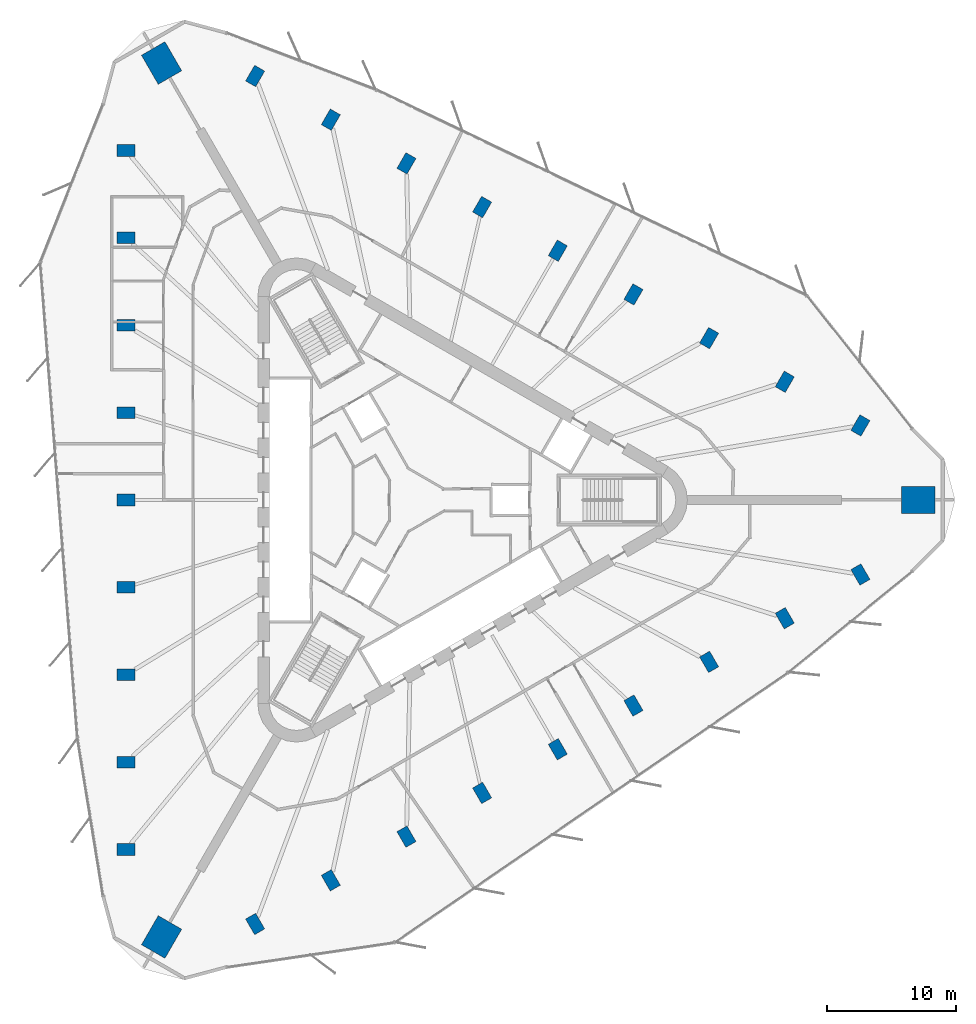
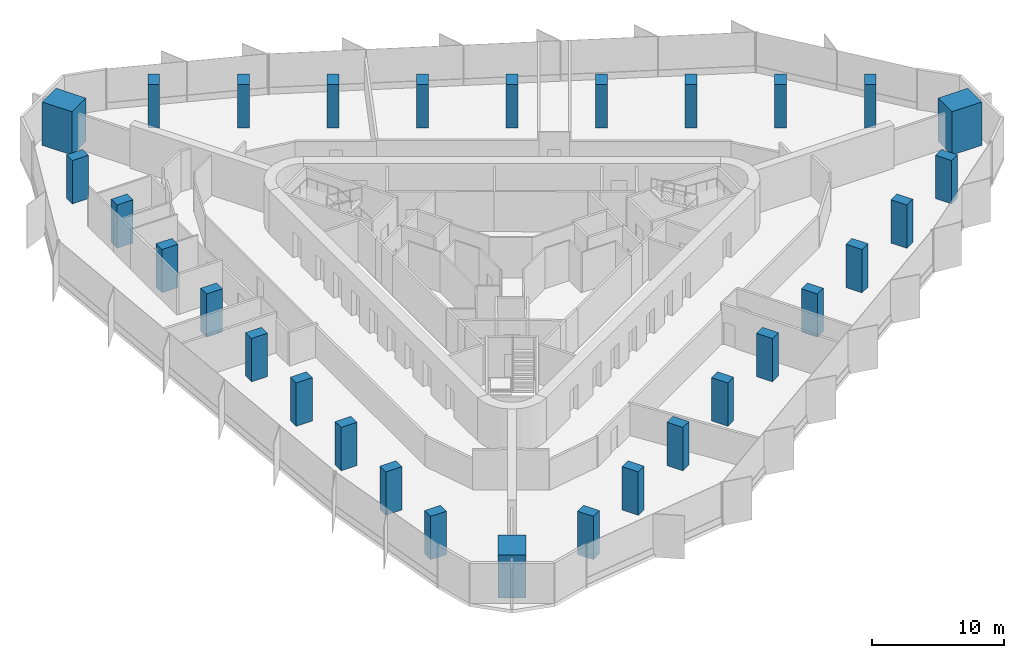
# One storey, part 1 of 13: 30 columns.
"""IFC4 building model written with IfcOpenShell, lengths in metres."""

from ifc_helpers import new_model, si_unit, direction, frame, origin, origin_2d, place, context, subcontext, project, spatial, rectangle, extrude, material, material_profile, profile_set, type_object, element, save


model = new_model("IFC4")

# Units and contexts
model_context = context("Model", 3, precision=1e-05, world=origin(), true_north=direction((0.0, 1.0)))
body_context = subcontext(model_context, "Body", "Model", "MODEL_VIEW")
ifc_project = project(units=[si_unit("LENGTHUNIT", "METRE"), si_unit("AREAUNIT", "SQUARE_METRE"), si_unit("VOLUMEUNIT", "CUBIC_METRE"), si_unit("PLANEANGLEUNIT", "RADIAN"), si_unit("MASSUNIT", "GRAM", prefix="KILO")], contexts=[model_context])

# Site, building, storey
site_placement = place(None, origin())
site = spatial("IfcSite", under=ifc_project, at=site_placement, CompositionType="ELEMENT")
building_placement = place(site_placement, origin())
building = spatial("IfcBuilding", under=site, at=building_placement, Name="Tanit Gate Tower", CompositionType="ELEMENT")
storey_placement = place(building_placement, frame((0.0, 0.0, 197.199951171875)))
storey = spatial("IfcBuildingStorey", under=building, at=storey_placement, Name="L43", CompositionType="ELEMENT", Elevation=197.199951171875)

# Columns
ifc_material_1 = material(Name="Concrete C60/75", Category="concrete")
ifc_material_profile_1 = material_profile(ifc_material_1, rectangle(XDim=2.60009765625, YDim=2.10009765625, at=origin_2d()), Name="RC 2600x2100")
ifc_profile_set_1 = profile_set([ifc_material_profile_1], Name="Concrete C60/75")
column_type_1 = type_object("IfcColumnType", Name="MEGA COLUMN 2600x2100 C60/75", PredefinedType="COLUMN", material=ifc_profile_set_1)
for number, where, z_axis, x_axis, name in (
    (1, (39.106689453125, 0.0, 0.0), (0.0, 0.0, 1.0), (1.0, 0.0, 0.0), "MEGA COLUMN"),
    (2, (-19.553466796875, 33.867431640625, 0.0), (0.0, 0.0, 1.0), (-0.5, 0.866025403784, 0.0), "MEGA COLUMN"),
    (3, (-19.553466796875, -33.867431640625, 0.0), (0.0, 0.0, 1.0), (-0.5, -0.866025403784, 0.0), "MEGA COLUMN"),
):
    element("IfcColumn", number, at=place(storey_placement, frame(where, z_axis=z_axis, x_axis=x_axis)), inside=storey, type_object=column_type_1, Name=name, PredefinedType="COLUMN", context=body_context, shape_type="SweptSolid", body=[
        extrude(rectangle(XDim=2.60009765625, YDim=2.10009765625, at=origin_2d()), origin(), (0.0, 0.0, 1.0), 4.0),
    ])
ifc_material_2 = material(Name="Concrete C50/60", Category="concrete")
ifc_material_profile_2 = material_profile(ifc_material_2, rectangle(XDim=1.39990234375, YDim=0.89990234375, at=origin_2d()), Name="RC 1400x900")
ifc_profile_set_2 = profile_set([ifc_material_profile_2], Name="Concrete C50/60")
column_type_2 = type_object("IfcColumnType", Name="PERIMETER COLUMN 1400x900 C50/60", PredefinedType="COLUMN", material=ifc_profile_set_2)
for number, where, z_axis, x_axis, name in (
    (4, (-22.305908203125, 27.083984375, 0.0), (0.0, 0.0, 1.0), (-1.0, 0.0, 0.0), "PERIMETER COLUMN"),
    (5, (-22.305908203125, 20.31298828125, 0.0), (0.0, 0.0, 1.0), (-1.0, 0.0, 0.0), "PERIMETER COLUMN"),
    (6, (-22.305908203125, 13.5419921875, 0.0), (0.0, 0.0, 1.0), (-1.0, 0.0, 0.0), "PERIMETER COLUMN"),
    (7, (-22.305908203125, 6.77099609375, 0.0), (0.0, 0.0, 1.0), (-1.0, 0.0, 0.0), "PERIMETER COLUMN"),
    (8, (-22.305908203125, 0.0, 0.0), (0.0, 0.0, 1.0), (-1.0, 0.0, 0.0), "PERIMETER COLUMN"),
    (9, (-22.305908203125, -6.77099609375, 0.0), (0.0, 0.0, 1.0), (-1.0, 0.0, 0.0), "PERIMETER COLUMN"),
    (10, (-22.305908203125, -13.5419921875, 0.0), (0.0, 0.0, 1.0), (-1.0, 0.0, 0.0), "PERIMETER COLUMN"),
    (11, (-22.305908203125, -20.31298828125, 0.0), (0.0, 0.0, 1.0), (-1.0, 0.0, 0.0), "PERIMETER COLUMN"),
    (12, (-22.305908203125, -27.083984375, 0.0), (0.0, 0.0, 1.0), (-1.0, 0.0, 0.0), "PERIMETER COLUMN"),
    (13, (34.6083984375, 5.775390625, 0.0), (0.0, 0.0, 1.0), (0.5, 0.866025403784, 0.0), "PERIMETER COLUMN"),
    (14, (28.744384765625, 9.160888671875, 0.0), (0.0, 0.0, 1.0), (0.5, 0.866025403784, 0.0), "PERIMETER COLUMN"),
    (15, (22.880615234375, 12.54638671875, 0.0), (0.0, 0.0, 1.0), (0.5, 0.866025403784, 0.0), "PERIMETER COLUMN"),
    (16, (17.016845703125, 15.931884765625, 0.0), (0.0, 0.0, 1.0), (0.5, 0.866025403784, 0.0), "PERIMETER COLUMN"),
    (17, (11.15283203125, 19.3173828125, 0.0), (0.0, 0.0, 1.0), (0.5, 0.866025403784, 0.0), "PERIMETER COLUMN"),
    (18, (5.2890625, 22.702880859375, 0.0), (0.0, 0.0, 1.0), (0.5, 0.866025403784, 0.0), "PERIMETER COLUMN"),
    (19, (-0.57470703125, 26.08837890625, 0.0), (0.0, 0.0, 1.0), (0.5, 0.866025403784, 0.0), "PERIMETER COLUMN"),
    (20, (-6.438720703125, 29.473876953125, 0.0), (0.0, 0.0, 1.0), (0.5, 0.866025403784, 0.0), "PERIMETER COLUMN"),
    (21, (-12.302490234375, 32.859375, 0.0), (0.0, 0.0, 1.0), (0.5, 0.866025403784, 0.0), "PERIMETER COLUMN"),
    (22, (-12.302490234375, -32.859375, 0.0), (0.0, 0.0, 1.0), (0.5, -0.866025403784, 0.0), "PERIMETER COLUMN"),
    (23, (-6.438720703125, -29.473876953125, 0.0), (0.0, 0.0, 1.0), (0.5, -0.866025403784, 0.0), "PERIMETER COLUMN"),
    (24, (-0.57470703125, -26.08837890625, 0.0), (0.0, 0.0, 1.0), (0.5, -0.866025403784, 0.0), "PERIMETER COLUMN"),
    (25, (5.2890625, -22.702880859375, 0.0), (0.0, 0.0, 1.0), (0.5, -0.866025403784, 0.0), "PERIMETER COLUMN"),
    (26, (11.15283203125, -19.3173828125, 0.0), (0.0, 0.0, 1.0), (0.5, -0.866025403784, 0.0), "PERIMETER COLUMN"),
    (27, (17.016845703125, -15.931884765625, 0.0), (0.0, 0.0, 1.0), (0.5, -0.866025403784, 0.0), "PERIMETER COLUMN"),
    (28, (22.880615234375, -12.54638671875, 0.0), (0.0, 0.0, 1.0), (0.5, -0.866025403784, 0.0), "PERIMETER COLUMN"),
    (29, (28.744384765625, -9.160888671875, 0.0), (0.0, 0.0, 1.0), (0.5, -0.866025403784, 0.0), "PERIMETER COLUMN"),
    (30, (34.6083984375, -5.775390625, 0.0), (0.0, 0.0, 1.0), (0.5, -0.866025403784, 0.0), "PERIMETER COLUMN"),
):
    element("IfcColumn", number, at=place(storey_placement, frame(where, z_axis=z_axis, x_axis=x_axis)), inside=storey, type_object=column_type_2, Name=name, PredefinedType="COLUMN", context=body_context, shape_type="SweptSolid", body=[
        extrude(rectangle(XDim=1.39990234375, YDim=0.89990234375, at=origin_2d()), origin(), (0.0, 0.0, 1.0), 4.0),
    ])

save(model, "model.ifc")
